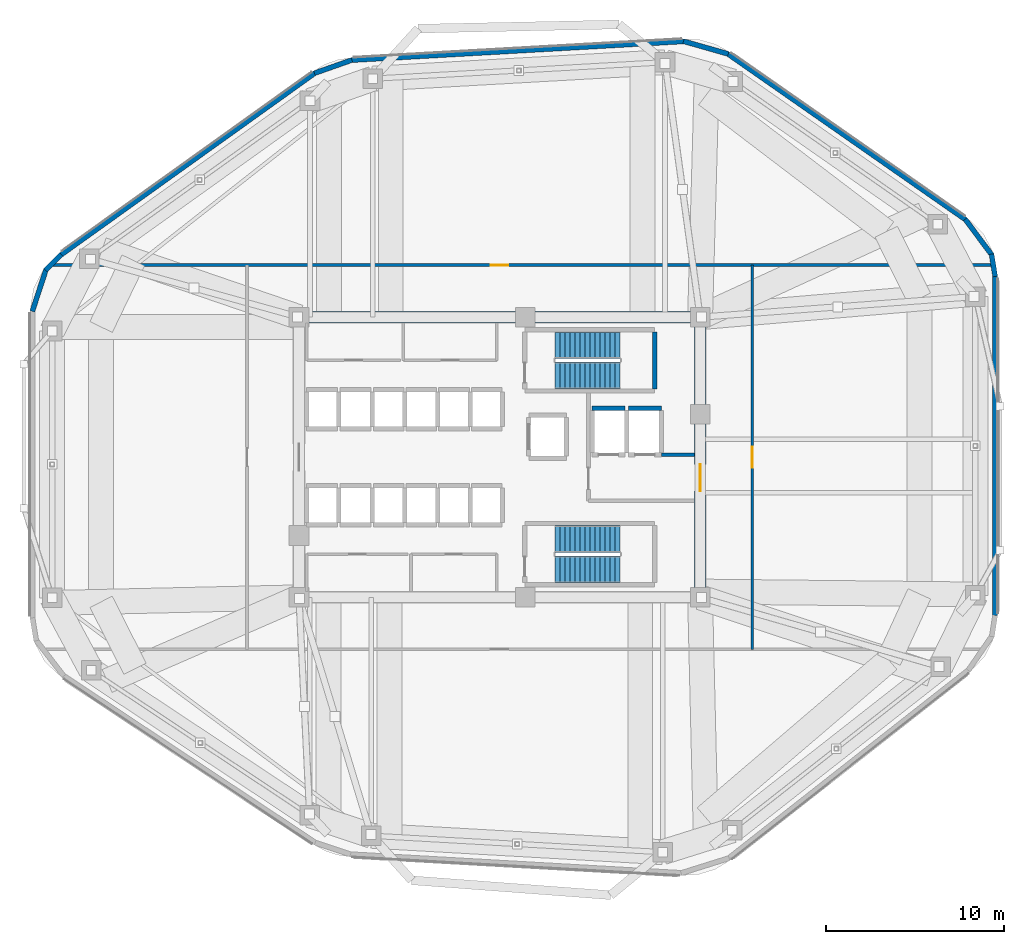
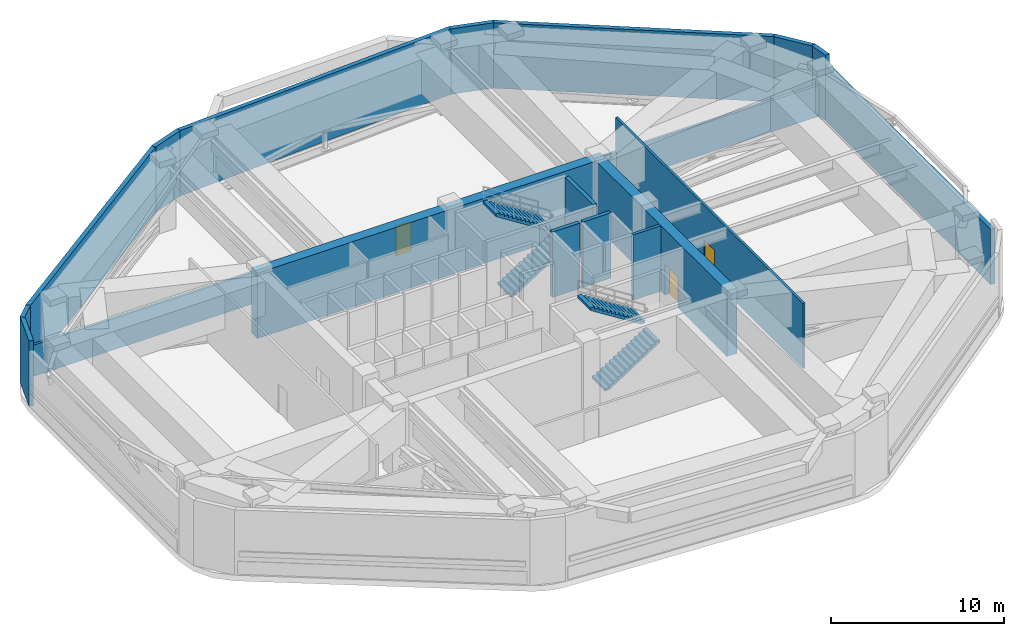
# One storey, part 9 of 12: 18 walls, 4 stair flights, 3 doors, 3 openings, 2 elements without a shape of their own.
"""IFC4 building model written with IfcOpenShell, lengths in metres."""

from ifc_helpers import new_model, si_unit, direction, frame, frame_2d, origin, place, context, subcontext, project, spatial, polyline, rectangle, outline, extrude, material, layer, layer_set, type_object, element, fill, aggregate, save


model = new_model("IFC4")

# Units and contexts
model_context = context("Model", 3, precision=1e-05, world=origin(), true_north=direction((0.0, 1.0)))
body_context = subcontext(model_context, "Body", "Model", "MODEL_VIEW")
ifc_project = project(units=[si_unit("LENGTHUNIT", "METRE"), si_unit("AREAUNIT", "SQUARE_METRE"), si_unit("VOLUMEUNIT", "CUBIC_METRE"), si_unit("PLANEANGLEUNIT", "RADIAN"), si_unit("MASSUNIT", "GRAM", prefix="KILO")], contexts=[model_context])

# Site, building, storey
site_placement = place(None, origin())
site = spatial("IfcSite", under=ifc_project, at=site_placement, CompositionType="ELEMENT")
building_placement = place(site_placement, origin())
building = spatial("IfcBuilding", under=site, at=building_placement, Name="Zulverin Broadcast Headquarters", CompositionType="ELEMENT")
storey_placement = place(building_placement, frame((0.0, 0.0, 120.0)))
storey = spatial("IfcBuildingStorey", under=building, at=storey_placement, Name="L30", CompositionType="ELEMENT", Elevation=120.0)

# Wall
ifc_material_1 = material(Name="Concrete C60/75", Category="concrete")
ifc_layer_1 = layer(ifc_material_1, 0.64990234375, Name="Concrete C60/75", Category="concrete")
ifc_layer_set_1 = layer_set([ifc_layer_1], Name="Concrete C60/75")
wall_type_1 = type_object("IfcWallType", Name="WL-CORE-650", PredefinedType="SHEAR", material=ifc_layer_set_1)
wall_1_placement = place(storey_placement, frame((25.39990234375, 33.074951171875, 0.0), z_axis=(0.0, 0.0, 1.0), x_axis=(1.0, 0.0, 0.0)))
element("IfcWall", 1, at=wall_1_placement, inside=storey, type_object=wall_type_1, Name="L30 Core North Shear Wall", PredefinedType="SHEAR", context=body_context, shape_type="SweptSolid", body=[
    extrude(rectangle(XDim=23.2001953125, YDim=0.64990234375, at=frame_2d((11.60009765625, 0.0))), origin(), (0.0, 0.0, 1.0), 4.60009765625),
])

# Wall, opening, door
wall_2_placement = place(storey_placement, frame((48.27490234375, 17.64990234375, 0.0), z_axis=(0.0, 0.0, 1.0), x_axis=(0.0, 1.0, 0.0)))
wall_2 = element("IfcWall", 2, at=wall_2_placement, inside=storey, type_object=wall_type_1, Name="L30 Core East Shear Wall", PredefinedType="SHEAR", context=body_context, shape_type="SweptSolid", body=[
    extrude(rectangle(XDim=15.10009765625, YDim=0.64990234375, at=frame_2d((7.550048828125, 0.0))), origin(), (0.0, 0.0, 1.0), 4.60009765625),
])
opening_1_placement = place(wall_2_placement, frame((5.64990234375, 0.0, 0.0)))
opening_1 = element("IfcOpeningElement", 3, at=opening_1_placement, cuts=wall_2, Name="Opening D-L30-CE1", PredefinedType="OPENING", context=body_context, shape_type="SweptSolid", body=[
    extrude(rectangle(XDim=1.5, YDim=2.14990234375, at=frame_2d((0.75, 1.074951171875))), frame((0.0, 0.3349609375, 0.0), z_axis=(0.0, -1.0, 0.0), x_axis=(1.0, 0.0, 0.0)), (0.0, 0.0, 1.0), 0.669921875),
])
ifc_material_2 = material(Name="Fire-rated glazed steel frame", Category="steel")
door_type_1 = type_object("IfcDoorType", Name="DR-COR-1500", OperationType="DOUBLE_DOOR_SINGLE_SWING", PredefinedType="DOOR", material=ifc_material_2)
door_1_placement = place(opening_1_placement, origin())
door_1 = element("IfcDoor", 4, at=door_1_placement, inside=storey, type_object=door_type_1, Name="L30 Firefighting Lobby East Corridor Door", OperationType="DOUBLE_DOOR_SINGLE_SWING", OverallHeight=2.14990234375, OverallWidth=1.5, PredefinedType="DOOR", context=body_context, shape_type="SweptSolid", body=[
    extrude(rectangle(XDim=1.5, YDim=2.14990234375, at=frame_2d((0.75, 1.074951171875))), frame((0.0, 0.02490234375, 0.0), z_axis=(0.0, -1.0, 0.0), x_axis=(1.0, 0.0, 0.0)), (0.0, 0.0, 1.0), 0.050048828125),
])
fill(opening_1, door_1)

# Walls
ifc_material_3 = material(Name="Insulated pale-metal clad concrete spandrel C40/50", Category="concrete")
ifc_layer_2 = layer(ifc_material_3, 0.280029296875, Name="Insulated pale-metal clad concrete spandrel C40/50", Category="concrete")
ifc_layer_set_2 = layer_set([ifc_layer_2], Name="Insulated pale-metal clad concrete spandrel C40/50")
wall_type_2 = type_object("IfcWallType", Name="WL-EXT-280", PredefinedType="STANDARD", material=ifc_layer_set_2)
wall_3_placement = place(storey_placement, frame((64.860107421875, 16.28955078125, 0.0), z_axis=(0.0, 0.0, 1.0), x_axis=(0.0, 1.0, 0.0)))
element("IfcWall", 5, at=wall_3_placement, inside=storey, type_object=wall_type_2, Name="L30 Pale-Metal Clad Spandrel Wall 3", PredefinedType="STANDARD", context=body_context, shape_type="SweptSolid", body=[
    extrude(rectangle(XDim=19.095703125, YDim=0.280029296875, at=frame_2d((9.5478515625, 0.0))), origin(), (0.0, 0.0, 1.0), 3.906982421875),
])
wall_4_placement = place(storey_placement, frame((63.208251953125, 38.551025390625, 0.0), z_axis=(0.0, 0.0, 1.0), x_axis=(-0.820177525249, 0.572109104172, 0.0)))
element("IfcWall", 6, at=wall_4_placement, inside=storey, type_object=wall_type_2, Name="L30 Pale-Metal Clad Spandrel Wall 4", PredefinedType="STANDARD", context=body_context, shape_type="SweptSolid", body=[
    extrude(rectangle(XDim=16.331298828125, YDim=0.280029296875, at=frame_2d((8.16552734375, 0.0))), origin(), (0.0, 0.0, 1.0), 4.60009765625),
])
wall_5_placement = place(storey_placement, frame((47.3876953125, 48.582275390625, 0.0), z_axis=(0.0, 0.0, 1.0), x_axis=(-0.99841158726, -0.056340948024, 0.0)))
element("IfcWall", 7, at=wall_5_placement, inside=storey, type_object=wall_type_2, Name="L30 Pale-Metal Clad Spandrel Wall 5", PredefinedType="STANDARD", context=body_context, shape_type="SweptSolid", body=[
    extrude(rectangle(XDim=18.75439453125, YDim=0.280029296875, at=frame_2d((9.377197265625, 0.0))), origin(), (0.0, 0.0, 1.0), 4.60009765625),
])
wall_6_placement = place(storey_placement, frame((26.633544921875, 46.810302734375, 0.0), z_axis=(0.0, 0.0, 1.0), x_axis=(-0.813113097485, -0.582105738417, 0.0)))
element("IfcWall", 8, at=wall_6_placement, inside=storey, type_object=wall_type_2, Name="L30 Pale-Metal Clad Spandrel Wall 6", PredefinedType="STANDARD", context=body_context, shape_type="SweptSolid", body=[
    extrude(rectangle(XDim=17.562744140625, YDim=0.280029296875, at=frame_2d((8.78125, 0.0))), origin(), (0.0, 0.0, 1.0), 4.60009765625),
])
wall_7_placement = place(storey_placement, frame((64.86181640625, 35.36279296875, 0.0), z_axis=(0.0, 0.0, 1.0), x_axis=(-0.159653222715, 0.98717316033, 0.0)))
element("IfcWall", 9, at=wall_7_placement, inside=storey, type_object=wall_type_2, Name="L30 Wind-Shaped Corner Spandrel Wall 3-1", PredefinedType="STANDARD", context=body_context, shape_type="SweptSolid", body=[
    extrude(rectangle(XDim=1.27685546875, YDim=0.280029296875, at=frame_2d((0.638427734375, 0.0))), origin(), (0.0, 0.0, 1.0), 4.60009765625),
])
wall_8_placement = place(storey_placement, frame((64.68408203125, 36.56201171875, 0.0), z_axis=(0.0, 0.0, 1.0), x_axis=(-0.598123405715, 0.801404012677, 0.0)))
element("IfcWall", 10, at=wall_8_placement, inside=storey, type_object=wall_type_2, Name="L30 Wind-Shaped Corner Spandrel Wall 3-2", PredefinedType="STANDARD", context=body_context, shape_type="SweptSolid", body=[
    extrude(rectangle(XDim=2.52099609375, YDim=0.280029296875, at=frame_2d((1.260498046875, 0.0))), origin(), (0.0, 0.0, 1.0), 4.60009765625),
])
wall_9_placement = place(storey_placement, frame((49.85546875, 47.87451171875, 0.0), z_axis=(0.0, 0.0, 1.0), x_axis=(-0.962058075469, 0.272844753338, 0.0)))
element("IfcWall", 11, at=wall_9_placement, inside=storey, type_object=wall_type_2, Name="L30 Wind-Shaped Corner Spandrel Wall 4-1", PredefinedType="STANDARD", context=body_context, shape_type="SweptSolid", body=[
    extrude(rectangle(XDim=2.61279296875, YDim=0.280029296875, at=frame_2d((1.306396484375, 0.0))), origin(), (0.0, 0.0, 1.0), 4.60009765625),
])
wall_10_placement = place(storey_placement, frame((28.70166015625, 47.533447265625, 0.0), z_axis=(0.0, 0.0, 1.0), x_axis=(-0.943147875264, -0.332373412571, 0.0)))
element("IfcWall", 12, at=wall_10_placement, inside=storey, type_object=wall_type_2, Name="L30 Wind-Shaped Corner Spandrel Wall 5-1", PredefinedType="STANDARD", context=body_context, shape_type="SweptSolid", body=[
    extrude(rectangle(XDim=2.22998046875, YDim=0.280029296875, at=frame_2d((1.114990234375, 0.0))), origin(), (0.0, 0.0, 1.0), 4.60009765625),
])
wall_11_placement = place(storey_placement, frame((12.3701171875, 36.60107421875, 0.0), z_axis=(0.0, 0.0, 1.0), x_axis=(-0.711257890723, -0.702931157998, 0.0)))
element("IfcWall", 13, at=wall_11_placement, inside=storey, type_object=wall_type_2, Name="L30 Wind-Shaped Corner Spandrel Wall 6-1", PredefinedType="STANDARD", context=body_context, shape_type="SweptSolid", body=[
    extrude(rectangle(XDim=1.2607421875, YDim=0.280029296875, at=frame_2d((0.63037109375, 0.0))), origin(), (0.0, 0.0, 1.0), 4.60009765625),
])
wall_12_placement = place(storey_placement, frame((11.5078125, 35.77099609375, 0.0), z_axis=(0.0, 0.0, 1.0), x_axis=(-0.311193632475, -0.950346527908, 0.0)))
element("IfcWall", 14, at=wall_12_placement, inside=storey, type_object=wall_type_2, Name="L30 Wind-Shaped Corner Spandrel Wall 6-2", PredefinedType="STANDARD", context=body_context, shape_type="SweptSolid", body=[
    extrude(rectangle(XDim=2.489990234375, YDim=0.280029296875, at=frame_2d((1.2451171875, 0.0))), origin(), (0.0, 0.0, 1.0), 4.60009765625),
])
ifc_material_4 = material(Name="Concrete C40/50", Category="concrete")
ifc_layer_3 = layer(ifc_material_4, 0.199951171875, Name="Concrete C40/50", Category="concrete")
ifc_layer_set_3 = layer_set([ifc_layer_3], Name="Concrete C40/50")
wall_type_3 = type_object("IfcWallType", Name="WL-FFL-200", PredefinedType="SOLIDWALL", material=ifc_layer_set_3)
wall_13_placement = place(storey_placement, frame((46.10009765625, 25.35009765625, 0.0), z_axis=(0.0, 0.0, 1.0), x_axis=(1.0, 0.0, 0.0)))
element("IfcWall", 15, at=wall_13_placement, inside=storey, type_object=wall_type_3, Name="L30 Firefighting Lift Lobby North Wall", PredefinedType="SOLIDWALL", context=body_context, shape_type="SweptSolid", body=[
    extrude(rectangle(XDim=1.849853515625, YDim=0.199951171875, at=frame_2d((0.9248046875, 0.0))), origin(), (0.0, 0.0, 1.0), 4.60009765625),
])

# Wall, opening, door
ifc_material_5 = material(Name="Fire-rated gypsum stud partition", Category="gypsum")
ifc_layer_4 = layer(ifc_material_5, 0.14990234375, Name="Fire-rated gypsum stud partition", Category="gypsum")
ifc_layer_set_4 = layer_set([ifc_layer_4], Name="Fire-rated gypsum stud partition")
wall_type_4 = type_object("IfcWallType", Name="WL-PART-150", PredefinedType="PARTITIONING", material=ifc_layer_set_4)
wall_14_placement = place(storey_placement, frame((51.199951171875, 14.39990234375, 0.0), z_axis=(0.0, 0.0, 1.0), x_axis=(0.0, 1.0, 0.0)))
wall_14 = element("IfcWall", 16, at=wall_14_placement, inside=storey, type_object=wall_type_4, Name="L30 Gallery Partition Wall CG-01", PredefinedType="PARTITIONING", context=body_context, shape_type="SweptSolid", body=[
    extrude(rectangle(XDim=21.60009765625, YDim=0.14990234375, at=frame_2d((10.800048828125, 0.0))), origin(), (0.0, 0.0, 1.0), 4.60009765625),
])
opening_2_placement = place(wall_14_placement, frame((10.199951171875, 0.0, 0.0)))
opening_2 = element("IfcOpeningElement", 17, at=opening_2_placement, cuts=wall_14, Name="Opening D-L30-REF", PredefinedType="OPENING", context=body_context, shape_type="SweptSolid", body=[
    extrude(rectangle(XDim=1.199951171875, YDim=2.14990234375, at=frame_2d((0.60009765625, 1.074951171875))), frame((0.0, 0.0849609375, 0.0), z_axis=(0.0, -1.0, 0.0), x_axis=(1.0, 0.0, 0.0)), (0.0, 0.0, 1.0), 0.169921875),
])
ifc_material_6 = material(Name="Fire-rated steel leaf and frame", Category="steel")
door_type_2 = type_object("IfcDoorType", Name="DR-FFL-1200", OperationType="SINGLE_SWING_RIGHT", PredefinedType="DOOR", material=ifc_material_6)
door_2_placement = place(opening_2_placement, origin())
door_2 = element("IfcDoor", 18, at=door_2_placement, inside=storey, type_object=door_type_2, Name="L30 Designated Fire Refuge Area Door", OperationType="SINGLE_SWING_LEFT", OverallHeight=2.14990234375, OverallWidth=1.199951171875, PredefinedType="DOOR", context=body_context, shape_type="SweptSolid", body=[
    extrude(rectangle(XDim=1.199951171875, YDim=2.14990234375, at=frame_2d((0.60009765625, 1.074951171875))), frame((0.0, 0.02490234375, 0.0), z_axis=(0.0, -1.0, 0.0), x_axis=(1.0, 0.0, 0.0)), (0.0, 0.0, 1.0), 0.050048828125),
])
fill(opening_2, door_2)

ifc_material_7 = material(Name="Fire-rated acoustic stud wall", Category="gypsum")
ifc_layer_5 = layer(ifc_material_7, 0.175048828125, Name="Fire-rated acoustic stud wall", Category="gypsum")
ifc_layer_set_5 = layer_set([ifc_layer_5], Name="Fire-rated acoustic stud wall")
wall_type_5 = type_object("IfcWallType", Name="WL-PART-175", PredefinedType="PARTITIONING", material=ifc_layer_set_5)
wall_15_placement = place(storey_placement, frame((11.70263671875, 36.0, 0.0), z_axis=(0.0, 0.0, 1.0), x_axis=(1.0, 0.0, 0.0)))
wall_15 = element("IfcWall", 19, at=wall_15_placement, inside=storey, type_object=wall_type_5, Name="L30 Gallery Partition Wall CG-04", PredefinedType="PARTITIONING", context=body_context, shape_type="SweptSolid", body=[
    extrude(rectangle(XDim=52.992919921875, YDim=0.175048828125, at=frame_2d((26.49658203125, 0.0))), origin(), (0.0, 0.0, 1.0), 2.199951171875),
])
opening_3_placement = place(wall_15_placement, frame((24.79736328125, 0.0, 0.0)))
opening_3 = element("IfcOpeningElement", 20, at=opening_3_placement, cuts=wall_15, Name="Opening D-L30-AHU", PredefinedType="OPENING", context=body_context, shape_type="SweptSolid", body=[
    extrude(rectangle(XDim=1.0, YDim=2.0400390625, at=frame_2d((0.5, 1.02001953125))), frame((0.0, 0.097412109375, 0.0), z_axis=(0.0, -1.0, 0.0), x_axis=(1.0, 0.0, 0.0)), (0.0, 0.0, 1.0), 0.195068359375),
])
ifc_material_8 = material(Name="Fire-rated steel plant room leaf", Category="steel")
door_type_3 = type_object("IfcDoorType", Name="DR-PLT-2040", OperationType="SINGLE_SWING_LEFT", PredefinedType="DOOR", material=ifc_material_8)
door_3_placement = place(opening_3_placement, origin())
door_3 = element("IfcDoor", 21, at=door_3_placement, inside=storey, type_object=door_type_3, Name="L30 Air Handling & Smoke Control Plant Room Door", OperationType="SINGLE_SWING_RIGHT", OverallHeight=2.0400390625, OverallWidth=1.0, PredefinedType="DOOR", context=body_context, shape_type="SweptSolid", body=[
    extrude(rectangle(XDim=1.0, YDim=2.0400390625, at=frame_2d((0.5, 1.02001953125))), frame((0.0, 0.02490234375, 0.0), z_axis=(0.0, -1.0, 0.0), x_axis=(1.0, 0.0, 0.0)), (0.0, 0.0, 1.0), 0.050048828125),
])
fill(opening_3, door_3)

# Walls
ifc_material_9 = material(Name="Concrete C50/60", Category="concrete")
ifc_layer_6 = layer(ifc_material_9, 0.25, Name="Concrete C50/60", Category="concrete")
ifc_layer_set_6 = layer_set([ifc_layer_6], Name="Concrete C50/60")
wall_type_6 = type_object("IfcWallType", Name="WL-SHAFT-250", PredefinedType="SHEAR", material=ifc_layer_set_6)
wall_16_placement = place(storey_placement, frame((45.72509765625, 29.050048828125, 0.0), z_axis=(0.0, 0.0, 1.0), x_axis=(0.0, 1.0, 0.0)))
element("IfcWall", 22, at=wall_16_placement, inside=storey, type_object=wall_type_6, Name="L30 ST-1 Enclosure Wall E", PredefinedType="SHEAR", context=body_context, shape_type="SweptSolid", body=[
    extrude(rectangle(XDim=3.199951171875, YDim=0.25, at=frame_2d((1.60009765625, 0.0))), origin(), (0.0, 0.0, 1.0), 4.60009765625),
])
for number, where, z_axis, x_axis, name in (
    (23, (42.199951171875, 27.949951171875, 0.0), (0.0, 0.0, 1.0), (1.0, 0.0, 0.0), "L30 Lift FFL-1 Shaft Wall N"),
    (24, (44.25, 27.949951171875, 0.0), (0.0, 0.0, 1.0), (1.0, 0.0, 0.0), "L30 Lift FFL-2 Shaft Wall N"),
):
    element("IfcWall", number, at=place(storey_placement, frame(where, z_axis=z_axis, x_axis=x_axis)), inside=storey, type_object=wall_type_6, Name=name, PredefinedType="SHEAR", context=body_context, shape_type="SweptSolid", body=[
        extrude(rectangle(XDim=1.85009765625, YDim=0.25, at=frame_2d((0.925048828125, 0.0))), origin(), (0.0, 0.0, 1.0), 4.60009765625),
    ])

# Stair, stair flights
stair_type = type_object("IfcStairType", Name="ST-CORE-1500", PredefinedType="HALF_TURN_STAIR", material=ifc_material_4)
stair_1_placement = place(storey_placement, origin())
stair_1 = element("IfcStair", 25, at=stair_1_placement, inside=storey, type_object=stair_type, Name="L30 Core Exit Stair ST-1", PredefinedType="HALF_TURN_STAIR")
stair_flight_type = type_object("IfcStairFlightType", Name="SF-CORE-1500", PredefinedType="STRAIGHT", material=ifc_material_4)
stair_flight_1_placement = place(storey_placement, frame((40.1298828125, 29.800048828125, 0.0), z_axis=(0.0, 0.0, 1.0), x_axis=(1.0, 0.0, 0.0)))
stair_flight_1 = element("IfcStairFlight", 26, at=stair_flight_1_placement, type_object=stair_flight_type, Name="ST-1 flight 1", NumberOfRisers=14, NumberOfTreads=13, PredefinedType="STRAIGHT", RiserHeight=0.178571429, TreadLength=0.28, context=body_context, shape_type="SweptSolid", body=[
    extrude(outline(polyline([(0.0, 0.0), (0.0, 0.178466796875), (0.280029296875, 0.178466796875), (0.280029296875, 0.357177734375), (0.56005859375, 0.357177734375), (0.56005859375, 0.53564453125), (0.840087890625, 0.53564453125), (0.840087890625, 0.71435546875), (1.1201171875, 0.71435546875), (1.1201171875, 0.892822265625), (1.39990234375, 0.892822265625), (1.39990234375, 1.071533203125), (1.679931640625, 1.071533203125), (1.679931640625, 1.25), (1.9599609375, 1.25), (1.9599609375, 1.428466796875), (2.239990234375, 1.428466796875), (2.239990234375, 1.607177734375), (2.52001953125, 1.607177734375), (2.52001953125, 1.78564453125), (2.800048828125, 1.78564453125), (2.800048828125, 1.96435546875), (3.080078125, 1.96435546875), (3.080078125, 2.142822265625), (3.360107421875, 2.142822265625), (3.360107421875, 2.321533203125), (3.639892578125, 2.321533203125), (3.639892578125, 2.5), (3.639892578125, 2.1435546875), (0.27880859375, 0.0), (0.0, 0.0)])), frame((0.0, 0.75, 0.0), z_axis=(0.0, -1.0, 0.0), x_axis=(1.0, 0.0, 0.0)), (0.0, 0.0, 1.0), 1.5),
])
stair_flight_2_placement = place(storey_placement, frame((43.77001953125, 31.5, 2.5), z_axis=(0.0, 0.0, 1.0), x_axis=(-1.0, 0.0, 0.0)))
stair_flight_2 = element("IfcStairFlight", 27, at=stair_flight_2_placement, type_object=stair_flight_type, Name="ST-1 flight 2", NumberOfRisers=14, NumberOfTreads=13, PredefinedType="STRAIGHT", RiserHeight=0.178571429, TreadLength=0.28, context=body_context, shape_type="SweptSolid", body=[
    extrude(outline(polyline([(0.0, 0.0), (0.0, 0.178466796875), (0.280029296875, 0.178466796875), (0.280029296875, 0.357177734375), (0.56005859375, 0.357177734375), (0.56005859375, 0.53564453125), (0.840087890625, 0.53564453125), (0.840087890625, 0.71435546875), (1.1201171875, 0.71435546875), (1.1201171875, 0.892822265625), (1.39990234375, 0.892822265625), (1.39990234375, 1.071533203125), (1.679931640625, 1.071533203125), (1.679931640625, 1.25), (1.9599609375, 1.25), (1.9599609375, 1.428466796875), (2.239990234375, 1.428466796875), (2.239990234375, 1.607177734375), (2.52001953125, 1.607177734375), (2.52001953125, 1.78564453125), (2.800048828125, 1.78564453125), (2.800048828125, 1.96435546875), (3.080078125, 1.96435546875), (3.080078125, 2.142822265625), (3.360107421875, 2.142822265625), (3.360107421875, 2.321533203125), (3.639892578125, 2.321533203125), (3.639892578125, 2.5), (3.639892578125, 2.1435546875), (0.27880859375, 0.0), (0.0, 0.0)])), frame((0.0, 0.75, 0.0), z_axis=(0.0, -1.0, 0.0), x_axis=(1.0, 0.0, 0.0)), (0.0, 0.0, 1.0), 1.5),
])
aggregate(stair_1, [stair_flight_1, stair_flight_2])

stair_2_placement = place(storey_placement, origin())
stair_2 = element("IfcStair", 28, at=stair_2_placement, inside=storey, type_object=stair_type, Name="L30 Core Exit Stair ST-2", PredefinedType="HALF_TURN_STAIR")
stair_flight_3_placement = place(storey_placement, frame((40.1298828125, 18.89990234375, 0.0), z_axis=(0.0, 0.0, 1.0), x_axis=(1.0, 0.0, 0.0)))
stair_flight_3 = element("IfcStairFlight", 29, at=stair_flight_3_placement, type_object=stair_flight_type, Name="ST-2 flight 1", NumberOfRisers=14, NumberOfTreads=13, PredefinedType="STRAIGHT", RiserHeight=0.178571429, TreadLength=0.28, context=body_context, shape_type="SweptSolid", body=[
    extrude(outline(polyline([(0.0, 0.0), (0.0, 0.178466796875), (0.280029296875, 0.178466796875), (0.280029296875, 0.357177734375), (0.56005859375, 0.357177734375), (0.56005859375, 0.53564453125), (0.840087890625, 0.53564453125), (0.840087890625, 0.71435546875), (1.1201171875, 0.71435546875), (1.1201171875, 0.892822265625), (1.39990234375, 0.892822265625), (1.39990234375, 1.071533203125), (1.679931640625, 1.071533203125), (1.679931640625, 1.25), (1.9599609375, 1.25), (1.9599609375, 1.428466796875), (2.239990234375, 1.428466796875), (2.239990234375, 1.607177734375), (2.52001953125, 1.607177734375), (2.52001953125, 1.78564453125), (2.800048828125, 1.78564453125), (2.800048828125, 1.96435546875), (3.080078125, 1.96435546875), (3.080078125, 2.142822265625), (3.360107421875, 2.142822265625), (3.360107421875, 2.321533203125), (3.639892578125, 2.321533203125), (3.639892578125, 2.5), (3.639892578125, 2.1435546875), (0.27880859375, 0.0), (0.0, 0.0)])), frame((0.0, 0.75, 0.0), z_axis=(0.0, -1.0, 0.0), x_axis=(1.0, 0.0, 0.0)), (0.0, 0.0, 1.0), 1.5),
])
stair_flight_4_placement = place(storey_placement, frame((43.77001953125, 20.60009765625, 2.5), z_axis=(0.0, 0.0, 1.0), x_axis=(-1.0, 0.0, 0.0)))
stair_flight_4 = element("IfcStairFlight", 30, at=stair_flight_4_placement, type_object=stair_flight_type, Name="ST-2 flight 2", NumberOfRisers=14, NumberOfTreads=13, PredefinedType="STRAIGHT", RiserHeight=0.178571429, TreadLength=0.28, context=body_context, shape_type="SweptSolid", body=[
    extrude(outline(polyline([(0.0, 0.0), (0.0, 0.178466796875), (0.280029296875, 0.178466796875), (0.280029296875, 0.357177734375), (0.56005859375, 0.357177734375), (0.56005859375, 0.53564453125), (0.840087890625, 0.53564453125), (0.840087890625, 0.71435546875), (1.1201171875, 0.71435546875), (1.1201171875, 0.892822265625), (1.39990234375, 0.892822265625), (1.39990234375, 1.071533203125), (1.679931640625, 1.071533203125), (1.679931640625, 1.25), (1.9599609375, 1.25), (1.9599609375, 1.428466796875), (2.239990234375, 1.428466796875), (2.239990234375, 1.607177734375), (2.52001953125, 1.607177734375), (2.52001953125, 1.78564453125), (2.800048828125, 1.78564453125), (2.800048828125, 1.96435546875), (3.080078125, 1.96435546875), (3.080078125, 2.142822265625), (3.360107421875, 2.142822265625), (3.360107421875, 2.321533203125), (3.639892578125, 2.321533203125), (3.639892578125, 2.5), (3.639892578125, 2.1435546875), (0.27880859375, 0.0), (0.0, 0.0)])), frame((0.0, 0.75, 0.0), z_axis=(0.0, -1.0, 0.0), x_axis=(1.0, 0.0, 0.0)), (0.0, 0.0, 1.0), 1.5),
])
aggregate(stair_2, [stair_flight_3, stair_flight_4])

save(model, "model.ifc")
